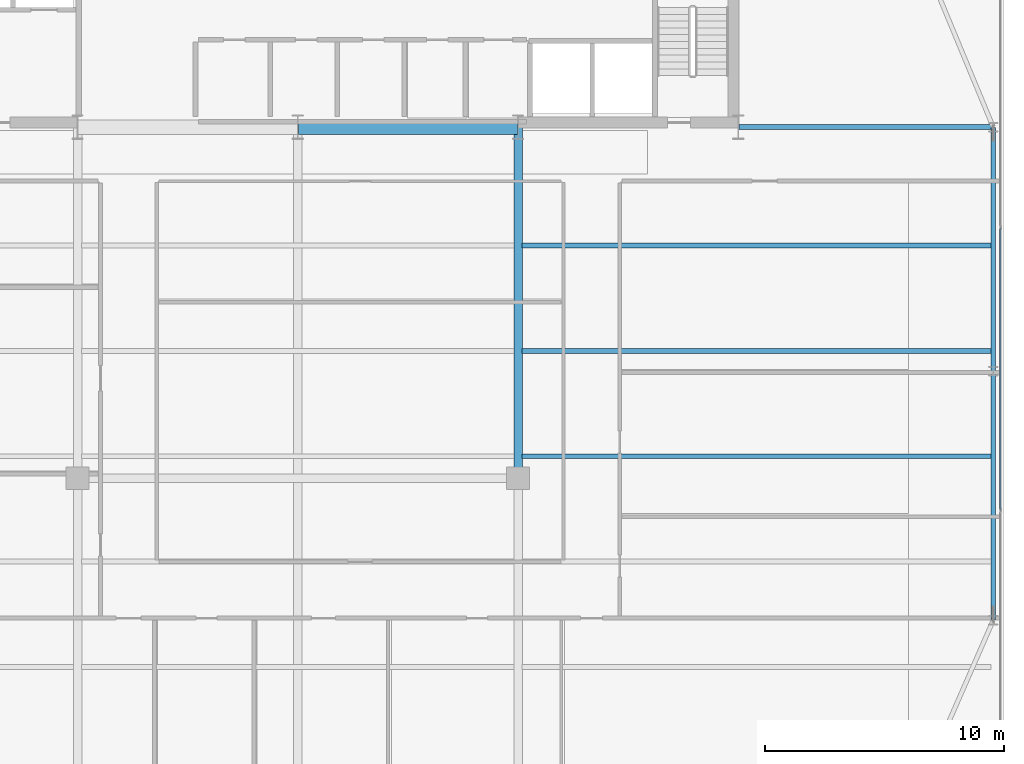
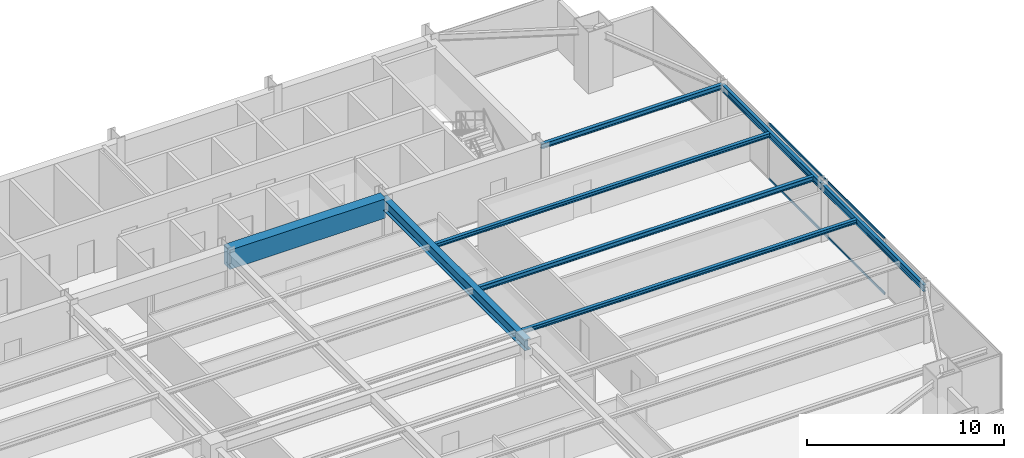
# One storey, part 19 of 33: 8 beams, 2 members, 1 element without a shape of its own.
"""IFC4 building model written with IfcOpenShell, lengths in metres."""

from ifc_helpers import new_model, si_unit, direction, frame, origin, origin_2d, place, context, subcontext, project, spatial, rectangle, hollow_rectangle, i_section, extrude, source, transform, mapped, material, layer, layer_set, material_profile, profile_set, type_object, type_shapes, element, aggregate, save


model = new_model("IFC4")

# Units and contexts
model_context = context("Model", 3, precision=1e-05, world=origin(), true_north=direction((0.0, 1.0)))
body_context = subcontext(model_context, "Body", "Model", "MODEL_VIEW")
ifc_project = project(units=[si_unit("LENGTHUNIT", "METRE"), si_unit("AREAUNIT", "SQUARE_METRE"), si_unit("VOLUMEUNIT", "CUBIC_METRE"), si_unit("PLANEANGLEUNIT", "RADIAN"), si_unit("MASSUNIT", "GRAM", prefix="KILO")], contexts=[model_context])

# Site, building, storey
site_placement = place(None, origin())
site = spatial("IfcSite", under=ifc_project, at=site_placement, CompositionType="ELEMENT")
building_placement = place(site_placement, origin())
building = spatial("IfcBuilding", under=site, at=building_placement, Name="Varnel Quay Broadcast Tower", CompositionType="ELEMENT")
storey_placement = place(building_placement, frame((0.0, 0.0, 137.199951171875)))
storey = spatial("IfcBuildingStorey", under=building, at=storey_placement, Name="L33", CompositionType="ELEMENT", Elevation=137.199951171875)

# Beams
ifc_material_1 = material(Name="Structural Steel CSA G40.21 350W", Category="steel")
ifc_material_profile_1 = material_profile(ifc_material_1, i_section(OverallWidth=0.180908203125, OverallDepth=0.4169921875, WebThickness=0.010986328125, FlangeThickness=0.018310546875, FilletRadius=0.011962890625, at=origin_2d()), Name="W410X85")
ifc_profile_set_1 = profile_set([ifc_material_profile_1], Name="Structural Steel CSA G40.21 350W")
beam_type_1 = type_object("IfcBeamType", Name="Beam_W410X85", PredefinedType="SPANDREL", material=ifc_profile_set_1)
shared_shape_1 = source(origin(), body_context, "Body", "SweptSolid", [
    extrude(i_section(OverallWidth=0.180908203125, OverallDepth=0.4169921875, WebThickness=0.010986328125, FlangeThickness=0.018310546875, FilletRadius=0.011962890625, at=origin_2d()), origin(), (0.0, 0.0, 1.0), 10.35986328125),
])
beam_1_placement = place(storey_placement, frame((63.050048828125, 15.02001953125, 3.271484375), z_axis=(0.0, 1.0, 0.0), x_axis=(-1.0, 0.0, 0.0)))
element("IfcBeam", 1, at=beam_1_placement, inside=storey, type_object=beam_type_1, Name="L33 East Spandrel TC-E1-TC-E2", PredefinedType="SPANDREL", context=body_context, shape_type="MappedRepresentation", body=[
    mapped(shared_shape_1, transform((0.0, 0.0, 0.0), x_axis=(1.0, 0.0, 0.0), y_axis=(0.0, 1.0, 0.0), z_axis=(0.0, 0.0, 1.0), scale=1.0)),
])
shared_shape_2 = source(origin(), body_context, "Body", "SweptSolid", [
    extrude(i_section(OverallWidth=0.180908203125, OverallDepth=0.4169921875, WebThickness=0.010986328125, FlangeThickness=0.018310546875, FilletRadius=0.011962890625, at=origin_2d()), origin(), (0.0, 0.0, 1.0), 10.16015625),
])
type_shapes(beam_type_1, [shared_shape_1, shared_shape_2])
beam_2_placement = place(storey_placement, frame((63.050048828125, 25.419921875, 3.271484375), z_axis=(0.0, 1.0, 0.0), x_axis=(-1.0, 0.0, 0.0)))
element("IfcBeam", 2, at=beam_2_placement, inside=storey, type_object=beam_type_1, Name="L33 East Spandrel TC-E2-TC-E3", PredefinedType="SPANDREL", context=body_context, shape_type="MappedRepresentation", body=[
    mapped(shared_shape_2, transform((0.0, 0.0, 0.0), x_axis=(1.0, 0.0, 0.0), y_axis=(0.0, 1.0, 0.0), z_axis=(0.0, 0.0, 1.0), scale=1.0)),
])
ifc_material_2 = material(Name="Concrete CSA A23.3 C60/75", Category="concrete")
ifc_material_profile_2 = material_profile(ifc_material_2, rectangle(XDim=0.60009765625, YDim=1.199951171875, at=origin_2d()), Name="RC600X1200")
ifc_profile_set_2 = profile_set([ifc_material_profile_2], Name="Concrete CSA A23.3 C60/75")
beam_type_2 = type_object("IfcBeamType", Name="Beam_RC600X1200", PredefinedType="BEAM", material=ifc_profile_set_2)
shared_shape_3 = source(origin(), body_context, "Body", "SweptSolid", [
    extrude(rectangle(XDim=0.60009765625, YDim=1.199951171875, at=origin_2d()), origin(), (0.0, 0.0, 1.0), 9.159912109375),
])
type_shapes(beam_type_2, [shared_shape_3])
beam_3_placement = place(storey_placement, frame((34.02001953125, 35.60009765625, 2.880126953125), z_axis=(1.0, 0.0, 0.0), x_axis=(0.0, 1.0, 0.0)))
element("IfcBeam", 3, at=beam_3_placement, inside=storey, type_object=beam_type_2, Name="L33 Core Coupling Beam E", PredefinedType="BEAM", context=body_context, shape_type="MappedRepresentation", body=[
    mapped(shared_shape_3, transform((0.0, 0.0, 0.0), x_axis=(1.0, 0.0, 0.0), y_axis=(0.0, 1.0, 0.0), z_axis=(0.0, 0.0, 1.0), scale=1.0)),
])
ifc_material_profile_3 = material_profile(ifc_material_1, i_section(OverallWidth=0.35498046875, OverallDepth=0.695068359375, WebThickness=0.015380859375, FlangeThickness=0.02490234375, FilletRadius=0.01806640625, at=origin_2d()), Name="W690X217")
ifc_profile_set_3 = profile_set([ifc_material_profile_3], Name="Structural Steel CSA G40.21 350W")
beam_type_3 = type_object("IfcBeamType", Name="Girder_W690X217", PredefinedType="BEAM", material=ifc_profile_set_3)
shared_shape_4 = source(origin(), body_context, "Body", "SweptSolid", [
    extrude(i_section(OverallWidth=0.35498046875, OverallDepth=0.695068359375, WebThickness=0.015380859375, FlangeThickness=0.02490234375, FilletRadius=0.01806640625, at=origin_2d()), origin(), (0.0, 0.0, 1.0), 14.630126953125),
])
type_shapes(beam_type_3, [shared_shape_4])
beam_4_placement = place(storey_placement, frame((43.199951171875, 20.949951171875, 3.132568359375), z_axis=(0.0, 1.0, 0.0), x_axis=(-1.0, 0.0, 0.0)))
element("IfcBeam", 4, at=beam_4_placement, inside=storey, type_object=beam_type_3, Name="L33 Primary Girder IC-02-CC-S4", PredefinedType="BEAM", context=body_context, shape_type="MappedRepresentation", body=[
    mapped(shared_shape_4, transform((0.0, 0.0, 0.0), x_axis=(1.0, 0.0, 0.0), y_axis=(0.0, 1.0, 0.0), z_axis=(0.0, 0.0, 1.0), scale=1.0)),
])
ifc_material_profile_4 = material_profile(ifc_material_1, i_section(OverallWidth=0.202880859375, OverallDepth=0.302978515625, WebThickness=0.007568359375, FlangeThickness=0.01318359375, FilletRadius=0.011962890625, at=origin_2d()), Name="W310X60")
ifc_profile_set_4 = profile_set([ifc_material_profile_4], Name="Structural Steel CSA G40.21 350W")
beam_type_4 = type_object("IfcBeamType", Name="Beam_W310X60", PredefinedType="JOIST", material=ifc_profile_set_4)
shared_shape_5 = source(origin(), body_context, "Body", "SweptSolid", [
    extrude(i_section(OverallWidth=0.202880859375, OverallDepth=0.302978515625, WebThickness=0.007568359375, FlangeThickness=0.01318359375, FilletRadius=0.011962890625, at=origin_2d()), origin(), (0.0, 0.0, 1.0), 10.610107421875),
])
beam_5_placement = place(storey_placement, frame((52.419921875, 35.60009765625, 3.32861328125), z_axis=(1.0, 0.0, 0.0), x_axis=(0.0, 1.0, 0.0)))
element("IfcBeam", 5, at=beam_5_placement, inside=storey, type_object=beam_type_4, Name="L33 East Core Tie Joist", PredefinedType="JOIST", context=body_context, shape_type="MappedRepresentation", body=[
    mapped(shared_shape_5, transform((0.0, 0.0, 0.0), x_axis=(1.0, 0.0, 0.0), y_axis=(0.0, 1.0, 0.0), z_axis=(0.0, 0.0, 1.0), scale=1.0)),
])
shared_shape_6 = source(origin(), body_context, "Body", "SweptSolid", [
    extrude(i_section(OverallWidth=0.202880859375, OverallDepth=0.302978515625, WebThickness=0.007568359375, FlangeThickness=0.01318359375, FilletRadius=0.011962890625, at=origin_2d()), origin(), (0.0, 0.0, 1.0), 19.592041015625),
])
type_shapes(beam_type_4, [shared_shape_5, shared_shape_6])
beam_6_placement = place(storey_placement, frame((43.37255859375, 26.25, 3.32861328125), z_axis=(1.0, 0.0, 0.0), x_axis=(0.0, 1.0, 0.0)))
element("IfcBeam", 6, at=beam_6_placement, inside=storey, type_object=beam_type_4, Name="L33 East Floor Joist 5", PredefinedType="JOIST", context=body_context, shape_type="MappedRepresentation", body=[
    mapped(shared_shape_6, transform((0.0, 0.0, 0.0), x_axis=(1.0, 0.0, 0.0), y_axis=(0.0, 1.0, 0.0), z_axis=(0.0, 0.0, 1.0), scale=1.0)),
])
ifc_material_profile_5 = material_profile(ifc_material_1, i_section(OverallWidth=0.201904296875, OverallDepth=0.2470703125, WebThickness=0.00732421875, FlangeThickness=0.010986328125, FilletRadius=0.010986328125, at=origin_2d()), Name="W250X49")
ifc_profile_set_5 = profile_set([ifc_material_profile_5], Name="Structural Steel CSA G40.21 350W")
beam_type_5 = type_object("IfcBeamType", Name="Beam_W250X49", PredefinedType="JOIST", material=ifc_profile_set_5)
shared_shape_7 = source(origin(), body_context, "Body", "SweptSolid", [
    extrude(i_section(OverallWidth=0.201904296875, OverallDepth=0.2470703125, WebThickness=0.00732421875, FlangeThickness=0.010986328125, FilletRadius=0.010986328125, at=origin_2d()), origin(), (0.0, 0.0, 1.0), 19.592041015625),
])
type_shapes(beam_type_5, [shared_shape_7])
for number, where, z_axis, x_axis, name in (
    (7, (43.37255859375, 21.85009765625, 3.3564453125), (1.0, 0.0, 0.0), (0.0, 1.0, 0.0), "L33 East Floor Joist 4"),
    (8, (43.37255859375, 30.64990234375, 3.3564453125), (1.0, 0.0, 0.0), (0.0, 1.0, 0.0), "L33 East Floor Joist 6"),
):
    element("IfcBeam", number, at=place(storey_placement, frame(where, z_axis=z_axis, x_axis=x_axis)), inside=storey, type_object=beam_type_5, Name=name, PredefinedType="JOIST", context=body_context, shape_type="MappedRepresentation", body=[
        mapped(shared_shape_7, transform((0.0, 0.0, 0.0), x_axis=(1.0, 0.0, 0.0), y_axis=(0.0, 1.0, 0.0), z_axis=(0.0, 0.0, 1.0), scale=1.0)),
    ])

# Curtain wall, members
ifc_material_3 = material(Name="Anodised Bronze Aluminium 6063-T6", Category="aluminium")
ifc_layer = layer(ifc_material_3, 0.18994140625, Name="Anodised Bronze Aluminium 6063-T6")
ifc_layer_set = layer_set([ifc_layer], Name="Anodised Bronze Aluminium 6063-T6")
curtain_wall_type = type_object("IfcCurtainWallType", Name="CW_LowerTower", PredefinedType="NOTDEFINED", material=ifc_layer_set)
curtain_wall_placement = place(storey_placement, origin())
curtain_wall = element("IfcCurtainWall", 9, at=curtain_wall_placement, inside=storey, type_object=curtain_wall_type, Name="L33 East Unitised Curtain Wall", PredefinedType="NOTDEFINED")
ifc_material_profile_6 = material_profile(ifc_material_3, hollow_rectangle(XDim=0.06005859375, YDim=0.14501953125, WallThickness=0.00341796875, at=origin_2d()), Name="ALU60X145X3.5")
ifc_profile_set_6 = profile_set([ifc_material_profile_6], Name="Anodised Bronze Aluminium 6063-T6")
member_type = type_object("IfcMemberType", Name="Tran_CWS-02", PredefinedType="USERDEFINED", material=ifc_profile_set_6)
shared_shape_8 = source(origin(), body_context, "Body", "SweptSolid", [
    extrude(hollow_rectangle(XDim=0.06005859375, YDim=0.14501953125, WallThickness=0.00341796875, at=origin_2d()), origin(), (0.0, 0.0, 1.0), 11.72998046875),
])
type_shapes(member_type, [shared_shape_8])
member_1_placement = place(storey_placement, frame((63.35009765625, 19.635009765625, 0.030029296875), z_axis=(0.0, 1.0, 0.0), x_axis=(-1.0, 0.0, 0.0)))
member_1 = element("IfcMember", 10, at=member_1_placement, type_object=member_type, Name="CWS-02 transom 2.1", ObjectType="TRANSOM", PredefinedType="USERDEFINED", context=body_context, shape_type="MappedRepresentation", body=[
    mapped(shared_shape_8, transform((0.0, 0.0, 0.0), x_axis=(1.0, 0.0, 0.0), y_axis=(0.0, 1.0, 0.0), z_axis=(0.0, 0.0, 1.0), scale=1.0)),
])
member_2_placement = place(storey_placement, frame((63.35009765625, 19.635009765625, 3.449951171875), z_axis=(0.0, 1.0, 0.0), x_axis=(-1.0, 0.0, 0.0)))
member_2 = element("IfcMember", 11, at=member_2_placement, type_object=member_type, Name="CWS-02 transom 2.2", ObjectType="TRANSOM", PredefinedType="USERDEFINED", context=body_context, shape_type="MappedRepresentation", body=[
    mapped(shared_shape_8, transform((0.0, 0.0, 0.0), x_axis=(1.0, 0.0, 0.0), y_axis=(0.0, 1.0, 0.0), z_axis=(0.0, 0.0, 1.0), scale=1.0)),
])
aggregate(curtain_wall, [member_1, member_2])

save(model, "model.ifc")
